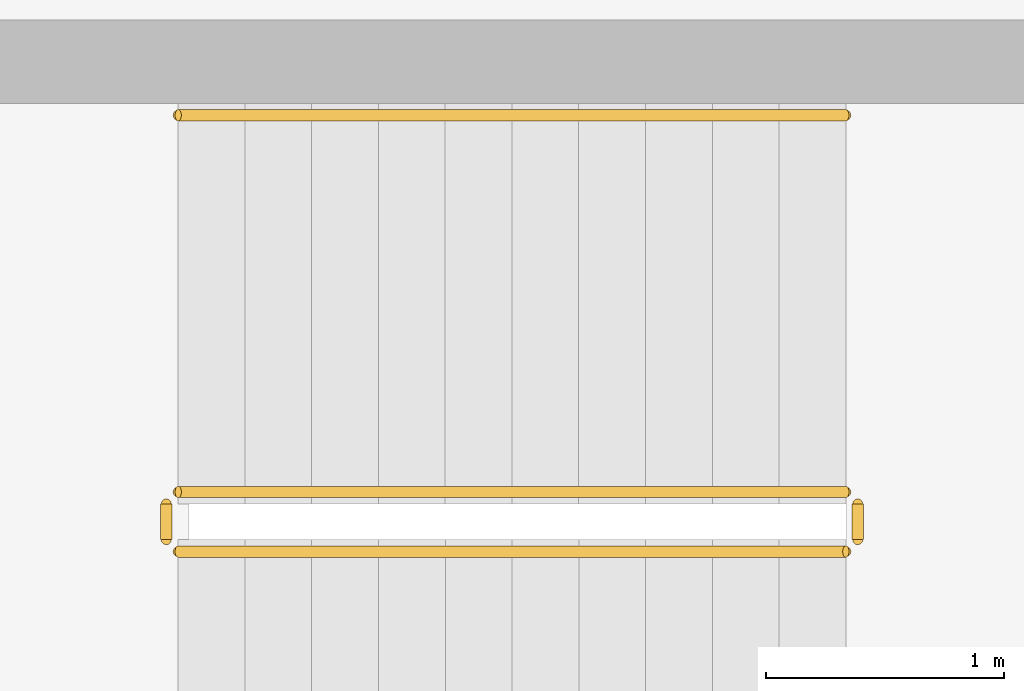
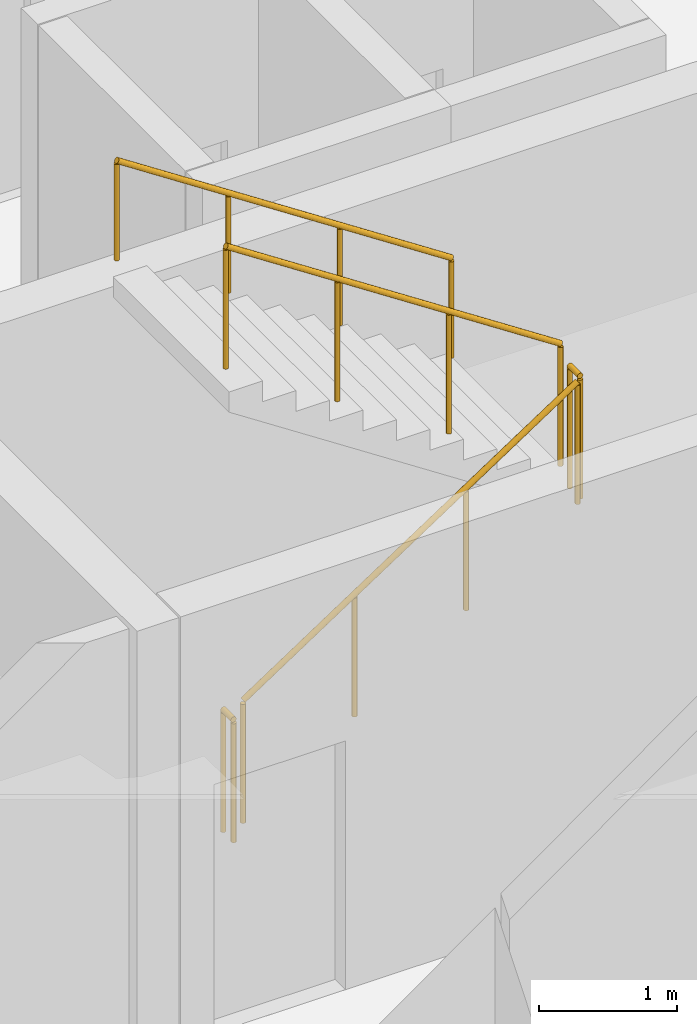
# One storey, part 39 of 43: 5 railings.
"""IFC4 building model written with IfcOpenShell, lengths in metres."""

from ifc_helpers import new_model, si_unit, direction, frame, origin, origin_2d, place, context, subcontext, project, spatial, circle, extrude, material, type_object, element, save


model = new_model("IFC4")

# Units and contexts
model_context = context("Model", 3, precision=1e-05, world=origin(), true_north=direction((0.0, 1.0)))
body_context = subcontext(model_context, "Body", "Model", "MODEL_VIEW")
ifc_project = project(units=[si_unit("LENGTHUNIT", "METRE"), si_unit("AREAUNIT", "SQUARE_METRE"), si_unit("VOLUMEUNIT", "CUBIC_METRE"), si_unit("PLANEANGLEUNIT", "RADIAN"), si_unit("MASSUNIT", "GRAM", prefix="KILO")], contexts=[model_context])

# Site, building, storey
site_placement = place(None, origin())
site = spatial("IfcSite", under=ifc_project, at=site_placement, CompositionType="ELEMENT")
building_placement = place(site_placement, origin())
building = spatial("IfcBuilding", under=site, at=building_placement, Name="Qorvath Tower", CompositionType="ELEMENT")
storey_placement = place(building_placement, frame((0.0, 0.0, 150.300048828125)))
storey = spatial("IfcBuildingStorey", under=building, at=storey_placement, Name="L34", CompositionType="ELEMENT", Elevation=150.300048828125)

# Railings
ifc_material_1 = material(Name="Painted galvanised steel", Category="steel")
railing_type_1 = type_object("IfcRailingType", Name="RL-STR-GRD", PredefinedType="GUARDRAIL", material=ifc_material_1)
railing_1_placement = place(storey_placement, frame((-22.669921875, -6.570068359375, 0.18408203125)))
element("IfcRailing", 1, at=railing_1_placement, inside=storey, type_object=railing_type_1, Name="L34 TS2 stair guard 1", PredefinedType="GUARDRAIL", context=body_context, shape_type="SweptSolid", body=[
    extrude(circle(Radius=0.02392578125, at=origin_2d()), frame((0.0, 0.0, 1.076171875), z_axis=(0.835575518608, 0.0, 0.549375602573), x_axis=(0.0, 1.0, 0.0)), (0.0, 0.0, 1.0), 3.350830078125),
    extrude(circle(Radius=0.02099609375, at=origin_2d()), origin(), (0.0, 0.0, 1.0), 1.052001953125),
    extrude(circle(Radius=0.02099609375, at=origin_2d()), frame((0.933349609375, 0.0, 0.613525390625)), (0.0, 0.0, 1.0), 1.052001953125),
    extrude(circle(Radius=0.02099609375, at=origin_2d()), frame((1.866455078125, 0.0, 1.227294921875)), (0.0, 0.0, 1.0), 1.052001953125),
    extrude(circle(Radius=0.02099609375, at=origin_2d()), frame((2.7998046875, 0.0, 1.8408203125)), (0.0, 0.0, 1.0), 1.052001953125),
])
railing_2_placement = place(storey_placement, frame((-19.820068359375, -6.52001953125, 2.02490234375)))
element("IfcRailing", 2, at=railing_2_placement, inside=storey, type_object=railing_type_1, Name="L34 TS2 stair guard 2", PredefinedType="GUARDRAIL", context=body_context, shape_type="SweptSolid", body=[
    extrude(circle(Radius=0.02392578125, at=origin_2d()), frame((0.0, 0.0, 1.076171875), z_axis=(0.0, 1.0, 0.0), x_axis=(-1.0, 0.0, 0.0)), (0.0, 0.0, 1.0), 0.14990234375),
    extrude(circle(Radius=0.02099609375, at=origin_2d()), origin(), (0.0, 0.0, 1.0), 1.052001953125),
    extrude(circle(Radius=0.02099609375, at=origin_2d()), frame((0.0, 0.14990234375, 0.0)), (0.0, 0.0, 1.0), 1.052001953125),
])
railing_3_placement = place(storey_placement, frame((-19.8701171875, -6.320068359375, 2.208984375)))
element("IfcRailing", 3, at=railing_3_placement, inside=storey, type_object=railing_type_1, Name="L34 TS2 stair guard 3", PredefinedType="GUARDRAIL", context=body_context, shape_type="SweptSolid", body=[
    extrude(circle(Radius=0.02392578125, at=origin_2d()), frame((0.0, 0.0, 1.076171875), z_axis=(-0.835542071712, 0.0, 0.549426470421), x_axis=(0.0, -1.0, 0.0)), (0.0, 0.0, 1.0), 3.350830078125),
    extrude(circle(Radius=0.02099609375, at=origin_2d()), origin(), (0.0, 0.0, 1.0), 1.052001953125),
    extrude(circle(Radius=0.02099609375, at=origin_2d()), frame((-0.933349609375, 0.0, 0.61376953125)), (0.0, 0.0, 1.0), 1.052001953125),
    extrude(circle(Radius=0.02099609375, at=origin_2d()), frame((-1.866455078125, 0.0, 1.227294921875)), (0.0, 0.0, 1.0), 1.052001953125),
    extrude(circle(Radius=0.02099609375, at=origin_2d()), frame((-2.7998046875, 0.0, 1.841064453125)), (0.0, 0.0, 1.0), 1.052001953125),
])
railing_4_placement = place(storey_placement, frame((-22.719970703125, -6.52001953125, 0.0)))
element("IfcRailing", 4, at=railing_4_placement, inside=storey, type_object=railing_type_1, Name="L34 TS2 stair guard 4", PredefinedType="GUARDRAIL", context=body_context, shape_type="SweptSolid", body=[
    extrude(circle(Radius=0.02392578125, at=origin_2d()), frame((0.0, 0.0, 1.076171875), z_axis=(0.0, 1.0, 0.0), x_axis=(-1.0, 0.0, 0.0)), (0.0, 0.0, 1.0), 0.14990234375),
    extrude(circle(Radius=0.02099609375, at=origin_2d()), origin(), (0.0, 0.0, 1.0), 1.052001953125),
    extrude(circle(Radius=0.02099609375, at=origin_2d()), frame((0.0, 0.14990234375, 0.0)), (0.0, 0.0, 1.0), 1.052001953125),
])
ifc_material_2 = material(Name="Brushed stainless steel AISI 304", Category="steel")
railing_type_2 = type_object("IfcRailingType", Name="RL-STR-HND", PredefinedType="HANDRAIL", material=ifc_material_2)
railing_5_placement = place(storey_placement, frame((-19.8701171875, -4.739990234375, 2.208984375)))
element("IfcRailing", 5, at=railing_5_placement, inside=storey, type_object=railing_type_2, Name="L34 TS2 stair handrail 2", PredefinedType="HANDRAIL", context=body_context, shape_type="SweptSolid", body=[
    extrude(circle(Radius=0.02392578125, at=origin_2d()), frame((0.0, 0.0, 0.8759765625), z_axis=(-0.835542071712, 0.0, 0.549426470421), x_axis=(0.0, -1.0, 0.0)), (0.0, 0.0, 1.0), 3.350830078125),
    extrude(circle(Radius=0.02099609375, at=origin_2d()), origin(), (0.0, 0.0, 1.0), 0.851806640625),
    extrude(circle(Radius=0.02099609375, at=origin_2d()), frame((-0.933349609375, 0.0, 0.61376953125)), (0.0, 0.0, 1.0), 0.851806640625),
    extrude(circle(Radius=0.02099609375, at=origin_2d()), frame((-1.866455078125, 0.0, 1.227294921875)), (0.0, 0.0, 1.0), 0.851806640625),
    extrude(circle(Radius=0.02099609375, at=origin_2d()), frame((-2.7998046875, 0.0, 1.841064453125)), (0.0, 0.0, 1.0), 0.851806640625),
])

save(model, "model.ifc")
